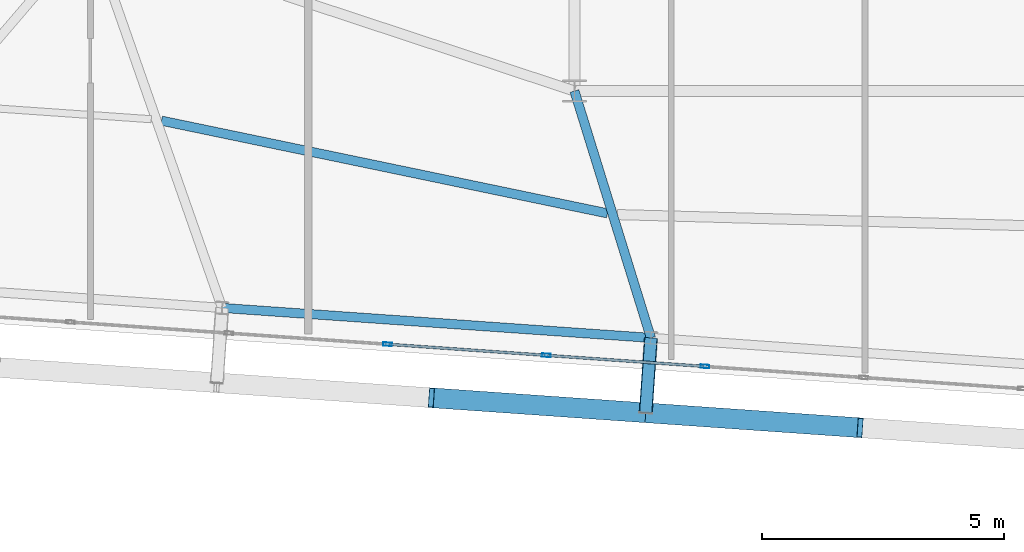
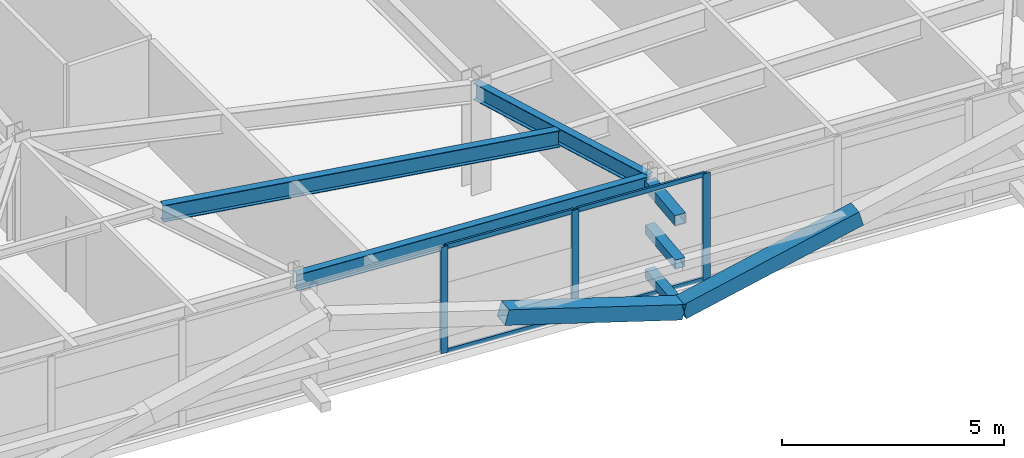
# One storey, part 11 of 47: 12 members, 3 beams, 1 element without a shape of its own.
"""IFC4 building model written with IfcOpenShell, lengths in metres."""

from ifc_helpers import new_model, si_unit, direction, frame, origin, origin_2d, place, context, subcontext, project, spatial, hollow_rectangle, i_section, extrude, source, transform, mapped, material, layer, layer_set, material_profile, profile_set, type_object, element, aggregate, save


model = new_model("IFC4")

# Units and contexts
model_context = context("Model", 3, precision=1e-05, world=origin(), true_north=direction((0.0, 1.0)))
body_context = subcontext(model_context, "Body", "Model", "MODEL_VIEW")
ifc_project = project(units=[si_unit("LENGTHUNIT", "METRE"), si_unit("AREAUNIT", "SQUARE_METRE"), si_unit("VOLUMEUNIT", "CUBIC_METRE"), si_unit("PLANEANGLEUNIT", "RADIAN"), si_unit("MASSUNIT", "GRAM", prefix="KILO")], contexts=[model_context])

# Site, building, storey
site_placement = place(None, origin())
site = spatial("IfcSite", under=ifc_project, at=site_placement, CompositionType="ELEMENT")
building_placement = place(site_placement, origin())
building = spatial("IfcBuilding", under=site, at=building_placement, Name="Taldren Reach Tower", CompositionType="ELEMENT")
storey_placement = place(building_placement, frame((0.0, 0.0, 139.300048828125)))
storey = spatial("IfcBuildingStorey", under=building, at=storey_placement, Name="L42", CompositionType="ELEMENT", Elevation=139.300048828125)

# Members
ifc_material_1 = material(Name="Steel Gr 450 (C450L0)", Category="steel")
ifc_material_profile_1 = material_profile(ifc_material_1, hollow_rectangle(XDim=0.27490234375, YDim=0.27490234375, WallThickness=0.00927734375, at=origin_2d()), Name="275x275x9.3SHS")
ifc_profile_set_1 = profile_set([ifc_material_profile_1], Name="Steel Gr 450 (C450L0)")
member_type_1 = type_object("IfcMemberType", Name="MB-TIE273", PredefinedType="STRUT", material=ifc_profile_set_1)
shared_shape_1 = source(origin(), body_context, "Body", "SweptSolid", [
    extrude(hollow_rectangle(XDim=0.27490234375, YDim=0.27490234375, WallThickness=0.00927734375, at=origin_2d()), origin(), (0.0, 0.0, 1.0), 1.550048828125),
])
member_1_placement = place(storey_placement, frame((29.580322265625, 4.099609375, 2.64990234375), z_axis=(-0.06976957191, -0.99756313426, 0.0), x_axis=(0.99756313426, -0.06976957191, 0.0)))
element("IfcMember", 1, at=member_1_placement, inside=storey, type_object=member_type_1, Name="Exoskeleton diaphragm tie strut B3-S3 L42", PredefinedType="STRUT", context=body_context, shape_type="MappedRepresentation", body=[
    mapped(shared_shape_1, transform((0.0, 0.0, 0.0), scale=1.0)),
])
ifc_material_2 = material(Name="Steel Gr 350 (C350L0)", Category="steel")
ifc_material_profile_2 = material_profile(ifc_material_2, hollow_rectangle(XDim=0.25, YDim=0.25, WallThickness=0.010009765625, at=origin_2d()), Name="250x250x10.0SHS")
ifc_profile_set_2 = profile_set([ifc_material_profile_2], Name="Steel Gr 350 (C350L0)")
member_type_2 = type_object("IfcMemberType", Name="MB-POST250", PredefinedType="POST", material=ifc_profile_set_2)
shared_shape_2 = source(origin(), body_context, "Body", "SweptSolid", [
    extrude(hollow_rectangle(XDim=0.25, YDim=0.25, WallThickness=0.010009765625, at=origin_2d()), origin(), (0.0, 0.0, 1.0), 1.550048828125),
])
for number, where, z_axis, x_axis, name in (
    (2, (29.580322265625, 4.099609375, 0.219970703125), (-0.06976957191, -0.99756313426, 0.0), (0.99756313426, -0.06976957191, 0.0), "Exoskeleton base diaphragm tie strut B3-S3 L42"),
    (3, (29.580322265625, 4.099609375, 1.43505859375), (-0.06976957191, -0.99756313426, 0.0), (0.99756313426, -0.06976957191, 0.0), "Exoskeleton mid-tier diaphragm tie B3-S3 L42"),
):
    element("IfcMember", number, at=place(storey_placement, frame(where, z_axis=z_axis, x_axis=x_axis)), inside=storey, type_object=member_type_2, Name=name, PredefinedType="POST", context=body_context, shape_type="MappedRepresentation", body=[
        mapped(shared_shape_2, transform((0.0, 0.0, 0.0), scale=1.0)),
    ])

# Beams
ifc_material_3 = material(Name="Steel Gr 350 (350PLUS)", Category="steel")
ifc_material_profile_3 = material_profile(ifc_material_3, i_section(OverallWidth=0.18994140625, OverallDepth=0.4541015625, WebThickness=0.008544921875, FlangeThickness=0.0126953125, at=origin_2d()), Name="460UB67.1")
ifc_profile_set_3 = profile_set([ifc_material_profile_3], Name="Steel Gr 350 (350PLUS)")
beam_type_1 = type_object("IfcBeamType", Name="SP-UB460B", PredefinedType="SPANDREL", material=ifc_profile_set_3)
shared_shape_3 = source(origin(), body_context, "Body", "SweptSolid", [
    extrude(i_section(OverallWidth=0.18994140625, OverallDepth=0.4541015625, WebThickness=0.008544921875, FlangeThickness=0.0126953125, at=origin_2d()), origin(), (0.0, 0.0, 1.0), 8.880126953125),
])
beam_1_placement = place(storey_placement, frame((20.721923828125, 4.718994140625, 2.702880859375), z_axis=(0.997564479639, -0.069750333063, 0.0), x_axis=(0.069750333063, 0.997564479639, 0.0)))
element("IfcBeam", 4, at=beam_1_placement, inside=storey, type_object=beam_type_1, Name="Perimeter spandrel B3 S2-S3 L42", PredefinedType="SPANDREL", context=body_context, shape_type="MappedRepresentation", body=[
    mapped(shared_shape_3, transform((0.0, 0.0, 0.0), scale=1.0)),
])
ifc_material_profile_4 = material_profile(ifc_material_3, i_section(OverallWidth=0.19091796875, OverallDepth=0.4599609375, WebThickness=0.010009765625, FlangeThickness=0.01611328125, at=origin_2d()), Name="460UB82.1")
ifc_profile_set_4 = profile_set([ifc_material_profile_4], Name="Steel Gr 350 (350PLUS)")
beam_type_2 = type_object("IfcBeamType", Name="BM-UB460A", PredefinedType="BEAM", material=ifc_profile_set_4)
shared_shape_4 = source(origin(), body_context, "Body", "SweptSolid", [
    extrude(i_section(OverallWidth=0.19091796875, OverallDepth=0.4599609375, WebThickness=0.010009765625, FlangeThickness=0.01611328125, at=origin_2d()), origin(), (0.0, 0.0, 1.0), 5.339599609375),
])
beam_2_placement = place(storey_placement, frame((28.0, 9.199951171875, 2.699951171875), z_axis=(0.295964865482, -0.955198826632, 0.0), x_axis=(0.955198826632, 0.295964865482, 0.0)))
element("IfcBeam", 5, at=beam_2_placement, inside=storey, type_object=beam_type_2, Name="Primary floor girder B3-S3 L42", PredefinedType="BEAM", context=body_context, shape_type="MappedRepresentation", body=[
    mapped(shared_shape_4, transform((0.0, 0.0, 0.0), scale=1.0)),
])
shared_shape_5 = source(origin(), body_context, "Body", "SweptSolid", [
    extrude(i_section(OverallWidth=0.19091796875, OverallDepth=0.4599609375, WebThickness=0.010009765625, FlangeThickness=0.01611328125, at=origin_2d()), origin(), (0.0, 0.0, 1.0), 9.410400390625),
])
beam_3_placement = place(storey_placement, frame((19.469970703125, 8.5869140625, 2.699951171875), z_axis=(0.97907399109, -0.20350459447, 0.0), x_axis=(0.20350459447, 0.97907399109, 0.0)))
element("IfcBeam", 6, at=beam_3_placement, inside=storey, type_object=beam_type_2, Name="Secondary floor beam B3 J2 L42", PredefinedType="BEAM", context=body_context, shape_type="MappedRepresentation", body=[
    mapped(shared_shape_5, transform((0.0, 0.0, 0.0), scale=1.0)),
])

# Members
ifc_material_profile_5 = material_profile(ifc_material_1, hollow_rectangle(XDim=0.409912109375, YDim=0.409912109375, WallThickness=0.01611328125, at=origin_2d()), Name="410x410x16.0SHS")
ifc_profile_set_5 = profile_set([ifc_material_profile_5], Name="Steel Gr 450 (C450L0)")
member_type_3 = type_object("IfcMemberType", Name="MB-EXO406", PredefinedType="BRACE", material=ifc_profile_set_5)
shared_shape_6 = source(origin(), body_context, "Body", "SweptSolid", [
    extrude(hollow_rectangle(XDim=0.409912109375, YDim=0.409912109375, WallThickness=0.01611328125, at=origin_2d()), origin(), (0.0, 0.0, 1.0), 4.603271484375),
])
for number, where, z_axis, x_axis, name in (
    (7, (29.47216796875, 2.55322265625, 0.219970703125), (-0.962182351074, 0.067302910567, 0.263961060594), (-0.06977769246, -0.997562566276, 0.0), "Exoskeleton Diagrid Brace B3-S2 L42"),
    (8, (29.47216796875, 2.55322265625, 0.219970703125), (0.962185784239, -0.067250114343, 0.263962002434), (0.069722973508, 0.997566392259, 0.0), "Exoskeleton Diagrid Brace B3-S3 L42"),
):
    element("IfcMember", number, at=place(storey_placement, frame(where, z_axis=z_axis, x_axis=x_axis)), inside=storey, type_object=member_type_3, Name=name, PredefinedType="BRACE", context=body_context, shape_type="MappedRepresentation", body=[
        mapped(shared_shape_6, transform((0.0, 0.0, 0.0), scale=1.0)),
    ])

# Curtain wall, members
ifc_material_4 = material(Name="Aluminium and Low-E Glass Unitised System", Category="aluminium")
ifc_layer = layer(ifc_material_4, 0.159912109375)
ifc_layer_set = layer_set([ifc_layer], Name="Aluminium and Low-E Glass Unitised System")
curtain_wall_type = type_object("IfcCurtainWallType", Name="CW-SYS-4", PredefinedType="NOTDEFINED", material=ifc_layer_set)
curtain_wall_placement = place(storey_placement, origin())
curtain_wall = element("IfcCurtainWall", 9, at=curtain_wall_placement, inside=storey, type_object=curtain_wall_type, Name="Unitised curtain wall CW-L42-S", PredefinedType="NOTDEFINED")
ifc_material_5 = material(Name="Anodised Aluminium 6063-T6", Category="aluminium")
ifc_material_profile_6 = material_profile(ifc_material_5, hollow_rectangle(XDim=0.070068359375, YDim=0.179931640625, WallThickness=0.00390625, at=origin_2d()), Name="ALU-180x70x4RHS")
ifc_profile_set_6 = profile_set([ifc_material_profile_6], Name="Anodised Aluminium 6063-T6")
member_type_4 = type_object("IfcMemberType", Name="CW-MUL-180", PredefinedType="MULLION", material=ifc_profile_set_6)
shared_shape_7 = source(origin(), body_context, "Body", "SweptSolid", [
    extrude(hollow_rectangle(XDim=0.070068359375, YDim=0.179931640625, WallThickness=0.00390625, at=origin_2d()), origin(), (0.0, 0.0, 1.0), 2.929931640625),
])
member_2_placement = place(storey_placement, frame((24.140869140625, 3.96875, 0.0), z_axis=(0.0, 0.0, 1.0), x_axis=(0.06975651593, 0.99756404731, 0.0)))
member_2 = element("IfcMember", 10, at=member_2_placement, type_object=member_type_4, Name="CW-4 mullion 5", PredefinedType="MULLION", context=body_context, shape_type="MappedRepresentation", body=[
    mapped(shared_shape_7, transform((0.0, 0.0, 0.0), scale=1.0)),
])
member_3_placement = place(storey_placement, frame((27.41845703125, 3.739501953125, 0.0), z_axis=(0.0, 0.0, 1.0), x_axis=(0.06975651593, 0.99756404731, 0.0)))
member_3 = element("IfcMember", 11, at=member_3_placement, type_object=member_type_4, Name="CW-4 mullion 6", PredefinedType="MULLION", context=body_context, shape_type="MappedRepresentation", body=[
    mapped(shared_shape_7, transform((0.0, 0.0, 0.0), scale=1.0)),
])
member_4_placement = place(storey_placement, frame((30.6962890625, 3.51025390625, 0.0), z_axis=(0.0, 0.0, 1.0), x_axis=(0.06975651593, 0.99756404731, 0.0)))
member_4 = element("IfcMember", 12, at=member_4_placement, type_object=member_type_4, Name="CW-4 mullion 7", PredefinedType="MULLION", context=body_context, shape_type="MappedRepresentation", body=[
    mapped(shared_shape_7, transform((0.0, 0.0, 0.0), scale=1.0)),
])
ifc_material_profile_7 = material_profile(ifc_material_5, hollow_rectangle(XDim=0.054931640625, YDim=0.1201171875, WallThickness=0.0029296875, at=origin_2d()), Name="ALU-120x55x3RHS")
ifc_profile_set_7 = profile_set([ifc_material_profile_7], Name="Anodised Aluminium 6063-T6")
member_type_5 = type_object("IfcMemberType", Name="CW-TRN-135", PredefinedType="USERDEFINED", material=ifc_profile_set_7)
shared_shape_8 = source(origin(), body_context, "Body", "SweptSolid", [
    extrude(hollow_rectangle(XDim=0.054931640625, YDim=0.1201171875, WallThickness=0.0029296875, at=origin_2d()), origin(), (0.0, 0.0, 1.0), 3.2158203125),
])
member_5_placement = place(storey_placement, frame((27.453369140625, 3.737060546875, 0.02734375), z_axis=(0.997563195991, -0.069768689278, 0.0), x_axis=(0.069768689278, 0.997563195991, 0.0)))
member_5 = element("IfcMember", 13, at=member_5_placement, type_object=member_type_5, Name="CW-4 transom 6.1", ObjectType="TRANSOM", PredefinedType="USERDEFINED", context=body_context, shape_type="MappedRepresentation", body=[
    mapped(shared_shape_8, transform((0.0, 0.0, 0.0), scale=1.0)),
])
member_6_placement = place(storey_placement, frame((27.453369140625, 3.737060546875, 2.90234375), z_axis=(0.997563195991, -0.069768689278, 0.0), x_axis=(0.069768689278, 0.997563195991, 0.0)))
member_6 = element("IfcMember", 14, at=member_6_placement, type_object=member_type_5, Name="CW-4 transom 6.2", ObjectType="TRANSOM", PredefinedType="USERDEFINED", context=body_context, shape_type="MappedRepresentation", body=[
    mapped(shared_shape_8, transform((0.0, 0.0, 0.0), scale=1.0)),
])
shared_shape_9 = source(origin(), body_context, "Body", "SweptSolid", [
    extrude(hollow_rectangle(XDim=0.054931640625, YDim=0.1201171875, WallThickness=0.0029296875, at=origin_2d()), origin(), (0.0, 0.0, 1.0), 3.215576171875),
])
member_7_placement = place(storey_placement, frame((24.17578125, 3.96630859375, 0.02734375), z_axis=(0.997562826405, -0.069773973473, 0.0), x_axis=(0.069773973473, 0.997562826405, 0.0)))
member_7 = element("IfcMember", 15, at=member_7_placement, type_object=member_type_5, Name="CW-4 transom 5.1", ObjectType="TRANSOM", PredefinedType="USERDEFINED", context=body_context, shape_type="MappedRepresentation", body=[
    mapped(shared_shape_9, transform((0.0, 0.0, 0.0), scale=1.0)),
])
member_8_placement = place(storey_placement, frame((24.17578125, 3.96630859375, 2.90234375), z_axis=(0.997562826405, -0.069773973473, 0.0), x_axis=(0.069773973473, 0.997562826405, 0.0)))
member_8 = element("IfcMember", 16, at=member_8_placement, type_object=member_type_5, Name="CW-4 transom 5.2", ObjectType="TRANSOM", PredefinedType="USERDEFINED", context=body_context, shape_type="MappedRepresentation", body=[
    mapped(shared_shape_9, transform((0.0, 0.0, 0.0), scale=1.0)),
])
aggregate(curtain_wall, [member_2, member_3, member_4, member_7, member_8, member_5, member_6])

save(model, "model.ifc")
